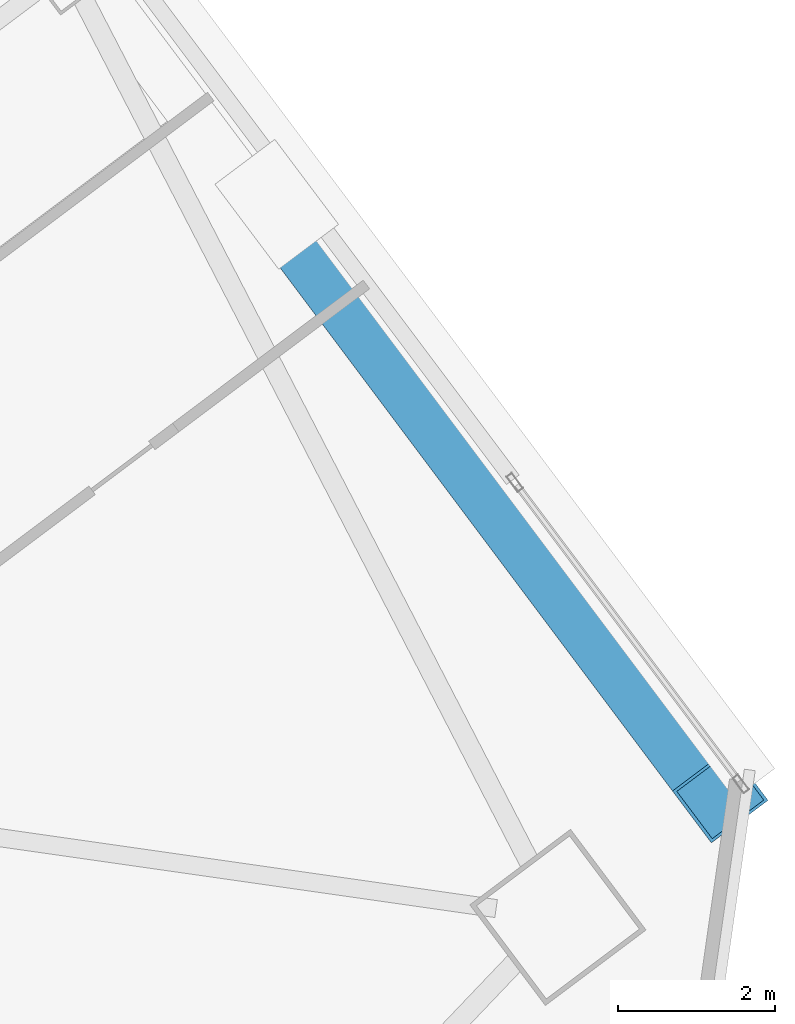
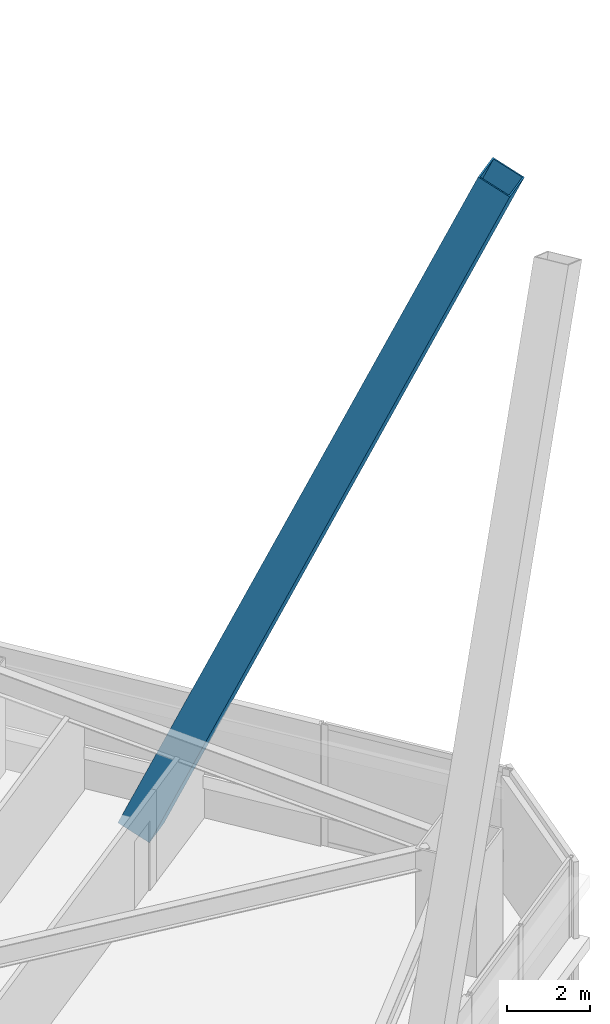
# One storey, part 49 of 75: 1 member.
"""IFC4 building model written with IfcOpenShell, lengths in metres."""

from ifc_helpers import new_model, si_unit, direction, frame, origin, origin_2d, place, context, subcontext, project, spatial, hollow_rectangle, extrude, material, material_profile, profile_set, type_object, element, save


model = new_model("IFC4")

# Units and contexts
model_context = context("Model", 3, precision=1e-05, world=origin(), true_north=direction((0.0, 1.0)))
body_context = subcontext(model_context, "Body", "Model", "MODEL_VIEW")
ifc_project = project(units=[si_unit("LENGTHUNIT", "METRE"), si_unit("AREAUNIT", "SQUARE_METRE"), si_unit("VOLUMEUNIT", "CUBIC_METRE"), si_unit("PLANEANGLEUNIT", "RADIAN"), si_unit("MASSUNIT", "GRAM", prefix="KILO")], contexts=[model_context])

# Site, building, storey
site_placement = place(None, origin())
site = spatial("IfcSite", under=ifc_project, at=site_placement, CompositionType="ELEMENT")
building_placement = place(site_placement, origin())
building = spatial("IfcBuilding", under=site, at=building_placement, Name="Tashvorn Skyway Center", CompositionType="ELEMENT")
storey_placement = place(building_placement, frame((0.0, 0.0, 45.89990234375)))
storey = spatial("IfcBuildingStorey", under=building, at=storey_placement, Name="L11", CompositionType="ELEMENT", Elevation=45.89990234375)

# Member
ifc_material = material(Name="Steel ASTM A572 Grade 50", Category="steel")
ifc_material_profile = material_profile(ifc_material, hollow_rectangle(XDim=0.89990234375, YDim=0.89990234375, WallThickness=0.0400390625, at=origin_2d()), Name="BOX900x900x40")
ifc_profile_set = profile_set([ifc_material_profile], Name="Steel ASTM A572 Grade 50")
member_type = type_object("IfcMemberType", Name="MEM-MB-900", PredefinedType="BRACE", material=ifc_profile_set)
member_placement = place(storey_placement, frame((136.743896484375, 37.30810546875, -0.449951171875), z_axis=(0.240362581762, -0.320476506079, 0.916253588446), x_axis=(0.799993766644, 0.600008311051, 0.0)))
element("IfcMember", 1, at=member_placement, inside=storey, type_object=member_type, Name="Tower 2 Zone 1 E Chevron Mega-Brace L2", PredefinedType="BRACE", context=body_context, shape_type="SweptSolid", body=[
    extrude(hollow_rectangle(XDim=0.89990234375, YDim=0.89990234375, WallThickness=0.0400390625, at=origin_2d()), origin(), (0.0, 0.0, 1.0), 23.465087890625),
])

save(model, "model.ifc")
